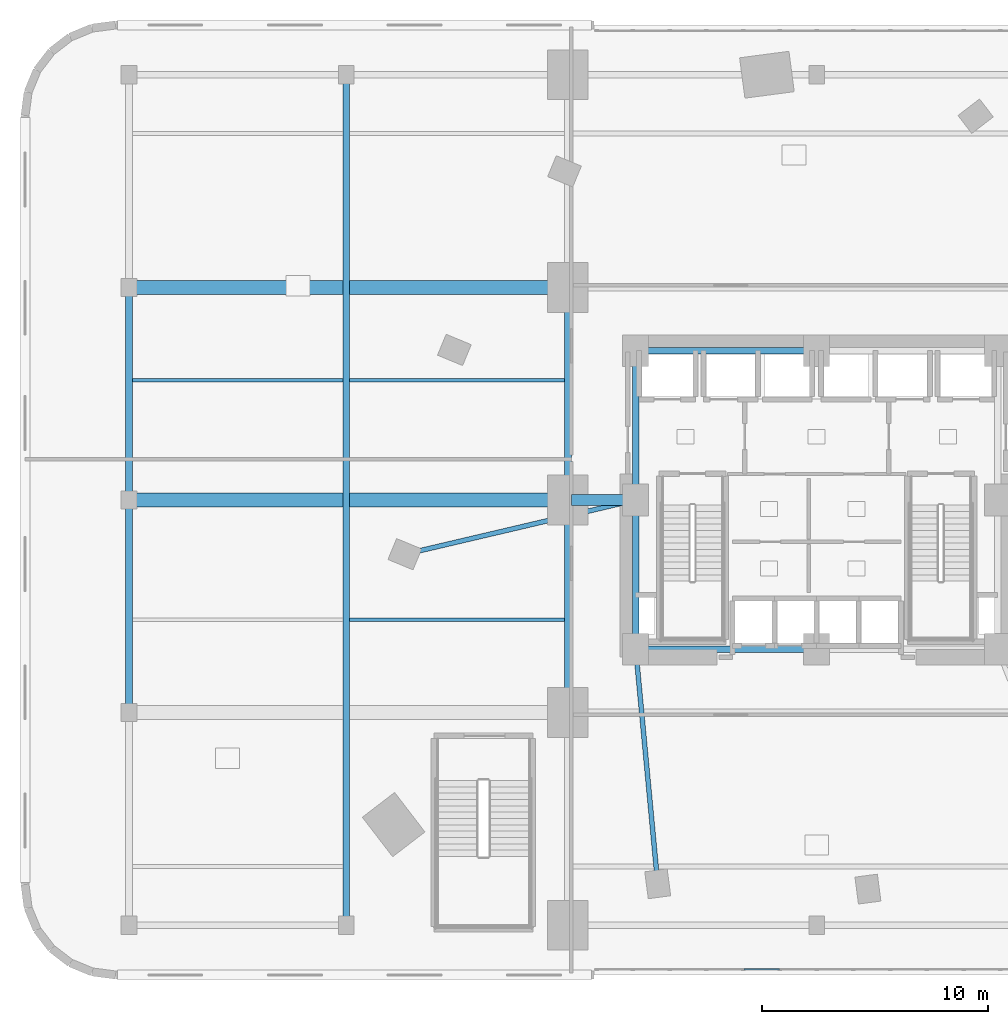
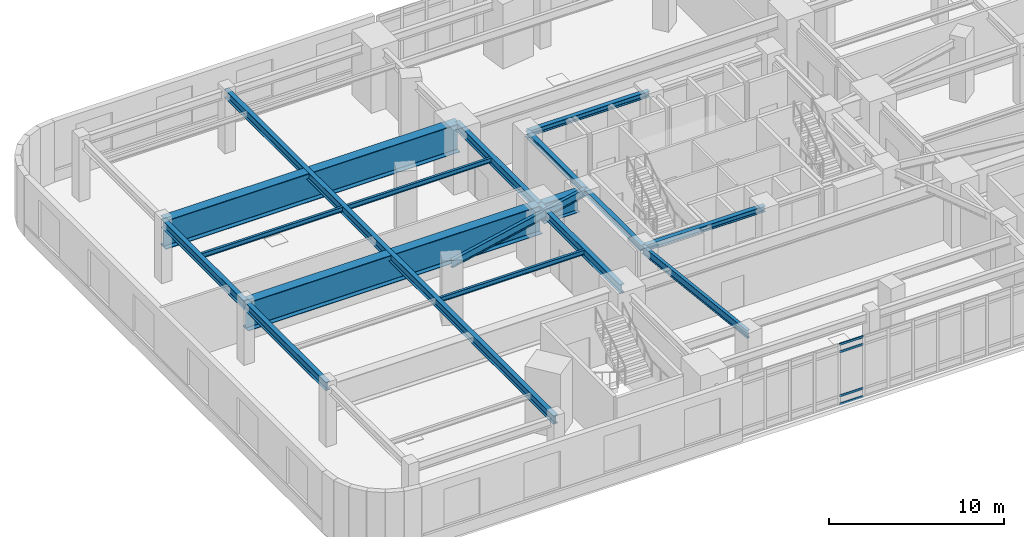
# One storey, part 3 of 19: 17 beams, 4 members, 1 element without a shape of its own.
"""IFC4 building model written with IfcOpenShell, lengths in metres."""

from ifc_helpers import new_model, si_unit, direction, frame, origin, origin_2d, place, context, subcontext, project, spatial, hollow_rectangle, i_section, extrude, material, layer, layer_set, material_profile, profile_set, type_object, element, aggregate, save


model = new_model("IFC4")

# Units and contexts
model_context = context("Model", 3, precision=1e-05, world=origin(), true_north=direction((0.0, 1.0)))
body_context = subcontext(model_context, "Body", "Model", "MODEL_VIEW")
ifc_project = project(units=[si_unit("LENGTHUNIT", "METRE"), si_unit("AREAUNIT", "SQUARE_METRE"), si_unit("VOLUMEUNIT", "CUBIC_METRE"), si_unit("PLANEANGLEUNIT", "RADIAN"), si_unit("MASSUNIT", "GRAM", prefix="KILO")], contexts=[model_context])

# Site, building, storey
site_placement = place(None, origin())
site = spatial("IfcSite", under=ifc_project, at=site_placement, CompositionType="ELEMENT")
building_placement = place(site_placement, origin())
building = spatial("IfcBuilding", under=site, at=building_placement, Name="Ndelora Gate Hotel", CompositionType="ELEMENT")
storey_placement = place(building_placement, frame((0.0, 0.0, 21.5)))
storey = spatial("IfcBuildingStorey", under=building, at=storey_placement, Name="L04", CompositionType="ELEMENT", Elevation=21.5)

# Beams
ifc_material_1 = material(Name="Steel S355", Category="steel")
ifc_material_profile_1 = material_profile(ifc_material_1, i_section(OverallWidth=0.300048828125, OverallDepth=0.39990234375, WebThickness=0.013427734375, FlangeThickness=0.02392578125, FilletRadius=0.027099609375, at=origin_2d()), Name="HEB 400")
ifc_profile_set_1 = profile_set([ifc_material_profile_1], Name="Steel S355")
beam_type_1 = type_object("IfcBeamType", Name="BM-CORE-400", PredefinedType="BEAM", material=ifc_profile_set_1)
beam_1_placement = place(storey_placement, frame((-8.0, 6.60009765625, 4.02001953125), z_axis=(1.0, 0.0, 0.0), x_axis=(0.0, 1.0, 0.0)))
element("IfcBeam", 1, at=beam_1_placement, inside=storey, type_object=beam_type_1, Name="L04 Core Tie Girder CC7-CC6", PredefinedType="BEAM", context=body_context, shape_type="SweptSolid", body=[
    extrude(i_section(OverallWidth=0.300048828125, OverallDepth=0.39990234375, WebThickness=0.013427734375, FlangeThickness=0.02392578125, FilletRadius=0.027099609375, at=origin_2d()), origin(), (0.0, 0.0, 1.0), 8.0),
])
for number, where, z_axis, x_axis, name in (
    (2, (-8.0, -6.60009765625, 4.02001953125), (0.0, 1.0, 0.0), (-1.0, 0.0, 0.0), "L04 Core Tie Girder CC1-CC8"),
    (3, (-8.0, 0.0, 4.02001953125), (0.0, 1.0, 0.0), (-1.0, 0.0, 0.0), "L04 Core Tie Girder CC8-CC7"),
):
    element("IfcBeam", number, at=place(storey_placement, frame(where, z_axis=z_axis, x_axis=x_axis)), inside=storey, type_object=beam_type_1, Name=name, PredefinedType="BEAM", context=body_context, shape_type="SweptSolid", body=[
        extrude(i_section(OverallWidth=0.300048828125, OverallDepth=0.39990234375, WebThickness=0.013427734375, FlangeThickness=0.02392578125, FilletRadius=0.027099609375, at=origin_2d()), origin(), (0.0, 0.0, 1.0), 6.60009765625),
    ])
beam_2_placement = place(storey_placement, frame((-8.0, -6.60009765625, 4.02001953125), z_axis=(1.0, 0.0, 0.0), x_axis=(0.0, 1.0, 0.0)))
element("IfcBeam", 4, at=beam_2_placement, inside=storey, type_object=beam_type_1, Name="L04 Core Tie Girder CC1-CC2", PredefinedType="BEAM", context=body_context, shape_type="SweptSolid", body=[
    extrude(i_section(OverallWidth=0.300048828125, OverallDepth=0.39990234375, WebThickness=0.013427734375, FlangeThickness=0.02392578125, FilletRadius=0.027099609375, at=origin_2d()), origin(), (0.0, 0.0, 1.0), 8.0),
])
ifc_material_profile_2 = material_profile(ifc_material_1, i_section(OverallWidth=0.159912109375, OverallDepth=0.330078125, WebThickness=0.007568359375, FlangeThickness=0.011474609375, FilletRadius=0.01806640625, at=origin_2d()), Name="IPE 330")
ifc_profile_set_2 = profile_set([ifc_material_profile_2], Name="Steel S355")
beam_type_2 = type_object("IfcBeamType", Name="BM-JST-330", PredefinedType="JOIST", material=ifc_profile_set_2)
beam_3_placement = place(storey_placement, frame((-20.64990234375, -5.300048828125, 4.054931640625), z_axis=(1.0, 0.0, 0.0), x_axis=(0.0, 1.0, 0.0)))
element("IfcBeam", 5, at=beam_3_placement, inside=storey, type_object=beam_type_2, Name="L04 Podium Composite Secondary Joist 2", PredefinedType="JOIST", context=body_context, shape_type="SweptSolid", body=[
    extrude(i_section(OverallWidth=0.159912109375, OverallDepth=0.330078125, WebThickness=0.007568359375, FlangeThickness=0.011474609375, FilletRadius=0.01806640625, at=origin_2d()), origin(), (0.0, 0.0, 1.0), 9.5),
])
beam_4_placement = place(storey_placement, frame((-30.25, 5.300048828125, 4.054931640625), z_axis=(1.0, 0.0, 0.0), x_axis=(0.0, 1.0, 0.0)))
element("IfcBeam", 6, at=beam_4_placement, inside=storey, type_object=beam_type_2, Name="L04 Podium Composite Secondary Joist 1", PredefinedType="JOIST", context=body_context, shape_type="SweptSolid", body=[
    extrude(i_section(OverallWidth=0.159912109375, OverallDepth=0.330078125, WebThickness=0.007568359375, FlangeThickness=0.011474609375, FilletRadius=0.01806640625, at=origin_2d()), origin(), (0.0, 0.0, 1.0), 9.300048828125),
])
beam_5_placement = place(storey_placement, frame((-20.64990234375, 5.300048828125, 4.054931640625), z_axis=(1.0, 0.0, 0.0), x_axis=(0.0, 1.0, 0.0)))
element("IfcBeam", 7, at=beam_5_placement, inside=storey, type_object=beam_type_2, Name="L04 Podium Composite Secondary Joist 2", PredefinedType="JOIST", context=body_context, shape_type="SweptSolid", body=[
    extrude(i_section(OverallWidth=0.159912109375, OverallDepth=0.330078125, WebThickness=0.007568359375, FlangeThickness=0.011474609375, FilletRadius=0.01806640625, at=origin_2d()), origin(), (0.0, 0.0, 1.0), 9.5),
])
ifc_material_profile_3 = material_profile(ifc_material_1, i_section(OverallWidth=0.300048828125, OverallDepth=0.60009765625, WebThickness=0.015380859375, FlangeThickness=0.030029296875, FilletRadius=0.027099609375, at=origin_2d()), Name="HEB 600")
ifc_profile_set_3 = profile_set([ifc_material_profile_3], Name="Steel S355")
beam_type_3 = type_object("IfcBeamType", Name="BM-POD-600", PredefinedType="BEAM", material=ifc_profile_set_3)
for number, where, z_axis, x_axis, name in (
    (8, (-30.39990234375, -9.39990234375, 3.919921875), (0.0, 1.0, 0.0), (-1.0, 0.0, 0.0), "L04 Podium Longitudinal Girder X=-30.4"),
    (9, (-30.39990234375, 0.0, 3.919921875), (0.0, 1.0, 0.0), (-1.0, 0.0, 0.0), "L04 Podium Longitudinal Girder X=-30.4"),
):
    element("IfcBeam", number, at=place(storey_placement, frame(where, z_axis=z_axis, x_axis=x_axis)), inside=storey, type_object=beam_type_3, Name=name, PredefinedType="BEAM", context=body_context, shape_type="SweptSolid", body=[
        extrude(i_section(OverallWidth=0.300048828125, OverallDepth=0.60009765625, WebThickness=0.015380859375, FlangeThickness=0.030029296875, FilletRadius=0.027099609375, at=origin_2d()), origin(), (0.0, 0.0, 1.0), 9.39990234375),
    ])
beam_6_placement = place(storey_placement, frame((-20.800048828125, -18.800048828125, 3.919921875), z_axis=(0.0, 1.0, 0.0), x_axis=(-1.0, 0.0, 0.0)))
element("IfcBeam", 10, at=beam_6_placement, inside=storey, type_object=beam_type_3, Name="L04 Podium Longitudinal Girder X=-20.8", PredefinedType="BEAM", context=body_context, shape_type="SweptSolid", body=[
    extrude(i_section(OverallWidth=0.300048828125, OverallDepth=0.60009765625, WebThickness=0.015380859375, FlangeThickness=0.030029296875, FilletRadius=0.027099609375, at=origin_2d()), origin(), (0.0, 0.0, 1.0), 37.60009765625),
])
for number, where, z_axis, x_axis, name in (
    (11, (-11.0, -9.39990234375, 3.919921875), (0.0, 1.0, 0.0), (-1.0, 0.0, 0.0), "L04 Podium Longitudinal Girder X=-11.0"),
    (12, (-11.0, 0.0, 3.919921875), (0.0, 1.0, 0.0), (-1.0, 0.0, 0.0), "L04 Podium Longitudinal Girder X=-11.0"),
):
    element("IfcBeam", number, at=place(storey_placement, frame(where, z_axis=z_axis, x_axis=x_axis)), inside=storey, type_object=beam_type_3, Name=name, PredefinedType="BEAM", context=body_context, shape_type="SweptSolid", body=[
        extrude(i_section(OverallWidth=0.300048828125, OverallDepth=0.60009765625, WebThickness=0.015380859375, FlangeThickness=0.030029296875, FilletRadius=0.027099609375, at=origin_2d()), origin(), (0.0, 0.0, 1.0), 9.39990234375),
    ])
ifc_material_profile_4 = material_profile(ifc_material_1, i_section(OverallWidth=0.2099609375, OverallDepth=0.550048828125, WebThickness=0.010986328125, FlangeThickness=0.01708984375, FilletRadius=0.02392578125, at=origin_2d()), Name="IPE 550")
ifc_profile_set_4 = profile_set([ifc_material_profile_4], Name="Steel S355")
beam_type_4 = type_object("IfcBeamType", Name="BM-RAD-550", PredefinedType="BEAM", material=ifc_profile_set_4)
beam_7_placement = place(storey_placement, frame((-8.0, 0.0, 3.945068359375), z_axis=(-0.973517848051, -0.22861102232, 0.0), x_axis=(0.22861102232, -0.973517848051, 0.0)))
element("IfcBeam", 13, at=beam_7_placement, inside=storey, type_object=beam_type_4, Name="L04 Tower Root Radial Tie Beam 4", PredefinedType="BEAM", context=body_context, shape_type="SweptSolid", body=[
    extrude(i_section(OverallWidth=0.2099609375, OverallDepth=0.550048828125, WebThickness=0.010986328125, FlangeThickness=0.01708984375, FilletRadius=0.02392578125, at=origin_2d()), origin(), (0.0, 0.0, 1.0), 10.48486328125),
])
beam_8_placement = place(storey_placement, frame((-8.0, -6.60009765625, 3.945068359375), z_axis=(0.093395913855, -0.995629049031, 0.0), x_axis=(0.995629049031, 0.093395913855, 0.0)))
element("IfcBeam", 14, at=beam_8_placement, inside=storey, type_object=beam_type_4, Name="L04 Tower Root Radial Tie Beam 6", PredefinedType="BEAM", context=body_context, shape_type="SweptSolid", body=[
    extrude(i_section(OverallWidth=0.2099609375, OverallDepth=0.550048828125, WebThickness=0.010986328125, FlangeThickness=0.01708984375, FilletRadius=0.02392578125, at=origin_2d()), origin(), (0.0, 0.0, 1.0), 10.41162109375),
])
ifc_material_2 = material(Name="Steel S460", Category="steel")
ifc_material_profile_5 = material_profile(ifc_material_2, i_section(OverallWidth=0.5, OverallDepth=1.39990234375, WebThickness=0.02392578125, FlangeThickness=0.035888671875, FilletRadius=0.02197265625, at=origin_2d()), Name="PG 1400x500x36")
ifc_profile_set_5 = profile_set([ifc_material_profile_5], Name="Steel S460")
beam_type_5 = type_object("IfcBeamType", Name="BM-TR-1400", PredefinedType="BEAM", material=ifc_profile_set_5)
beam_9_placement = place(storey_placement, frame((-10.85009765625, 0.0, 3.52001953125), z_axis=(1.0, 0.0, 0.0), x_axis=(0.0, 1.0, 0.0)))
element("IfcBeam", 15, at=beam_9_placement, inside=storey, type_object=beam_type_5, Name="L04 structural beam TG-3", PredefinedType="BEAM", context=body_context, shape_type="SweptSolid", body=[
    extrude(i_section(OverallWidth=0.5, OverallDepth=1.39990234375, WebThickness=0.02392578125, FlangeThickness=0.035888671875, FilletRadius=0.02197265625, at=origin_2d()), origin(), (0.0, 0.0, 1.0), 2.35009765625),
])
ifc_material_profile_6 = material_profile(ifc_material_2, i_section(OverallWidth=0.6201171875, OverallDepth=2.0, WebThickness=0.028076171875, FlangeThickness=0.0400390625, FilletRadius=0.02392578125, at=origin_2d()), Name="PG 2000x620x40")
ifc_profile_set_6 = profile_set([ifc_material_profile_6], Name="Steel S460")
beam_type_6 = type_object("IfcBeamType", Name="BM-TR-2000", PredefinedType="BEAM", material=ifc_profile_set_6)
for number, where, z_axis, x_axis, name in (
    (16, (-30.39990234375, 0.0, 3.219970703125), (1.0, 0.0, 0.0), (0.0, 1.0, 0.0), "L04 Podium Transverse Girder Y=+0.0"),
    (17, (-30.39990234375, 9.39990234375, 3.219970703125), (1.0, 0.0, 0.0), (0.0, 1.0, 0.0), "L04 Podium Transverse Girder Y=+9.4"),
):
    element("IfcBeam", number, at=place(storey_placement, frame(where, z_axis=z_axis, x_axis=x_axis)), inside=storey, type_object=beam_type_6, Name=name, PredefinedType="BEAM", context=body_context, shape_type="SweptSolid", body=[
        extrude(i_section(OverallWidth=0.6201171875, OverallDepth=2.0, WebThickness=0.028076171875, FlangeThickness=0.0400390625, FilletRadius=0.02392578125, at=origin_2d()), origin(), (0.0, 0.0, 1.0), 19.39990234375),
    ])

# Curtain wall, members
ifc_material_3 = material(Name="Bronze Anodised Unitised Aluminium and Low-E Glass", Category="aluminium")
ifc_layer = layer(ifc_material_3, 0.219970703125)
ifc_layer_set = layer_set([ifc_layer], Name="Bronze Anodised Unitised Aluminium and Low-E Glass")
curtain_wall_type = type_object("IfcCurtainWallType", Name="CW-SYS-2", PredefinedType="NOTDEFINED", material=ifc_layer_set)
curtain_wall_placement = place(storey_placement, origin())
curtain_wall = element("IfcCurtainWall", 18, at=curtain_wall_placement, inside=storey, type_object=curtain_wall_type, Name="L04 South Podium Foyer Curtain Wall CW2", PredefinedType="NOTDEFINED")
ifc_material_4 = material(Name="Bronze Anodised Aluminium 6063-T6", Category="aluminium")
ifc_material_profile_7 = material_profile(ifc_material_4, hollow_rectangle(XDim=0.06494140625, YDim=0.159912109375, WallThickness=0.00390625, InnerFilletRadius=0.00390625, OuterFilletRadius=0.008056640625, at=origin_2d()), Name="ALU 160x65x4")
ifc_profile_set_7 = profile_set([ifc_material_profile_7], Name="Bronze Anodised Aluminium 6063-T6")
member_type = type_object("IfcMemberType", Name="MB-CW-TRN150", PredefinedType="USERDEFINED", material=ifc_profile_set_7)
member_1_placement = place(storey_placement, frame((-3.220947265625, -20.75, 0.032470703125), z_axis=(1.0, 0.0, 0.0), x_axis=(0.0, 1.0, 0.0)))
member_1 = element("IfcMember", 19, at=member_1_placement, type_object=member_type, Name="CW2 transom 5.1", ObjectType="TRANSOM", PredefinedType="USERDEFINED", context=body_context, shape_type="SweptSolid", body=[
    extrude(hollow_rectangle(XDim=0.06494140625, YDim=0.159912109375, WallThickness=0.00390625, InnerFilletRadius=0.00390625, OuterFilletRadius=0.008056640625, at=origin_2d()), origin(), (0.0, 0.0, 1.0), 1.56689453125),
])
member_2_placement = place(storey_placement, frame((-3.220947265625, -20.75, 0.60009765625), z_axis=(1.0, 0.0, 0.0), x_axis=(0.0, 1.0, 0.0)))
member_2 = element("IfcMember", 20, at=member_2_placement, type_object=member_type, Name="CW2 transom 5.2", ObjectType="TRANSOM", PredefinedType="USERDEFINED", context=body_context, shape_type="SweptSolid", body=[
    extrude(hollow_rectangle(XDim=0.06494140625, YDim=0.159912109375, WallThickness=0.00390625, InnerFilletRadius=0.00390625, OuterFilletRadius=0.008056640625, at=origin_2d()), origin(), (0.0, 0.0, 1.0), 1.56689453125),
])
member_3_placement = place(storey_placement, frame((-3.220947265625, -20.75, 3.669921875), z_axis=(1.0, 0.0, 0.0), x_axis=(0.0, 1.0, 0.0)))
member_3 = element("IfcMember", 21, at=member_3_placement, type_object=member_type, Name="CW2 transom 5.3", ObjectType="TRANSOM", PredefinedType="USERDEFINED", context=body_context, shape_type="SweptSolid", body=[
    extrude(hollow_rectangle(XDim=0.06494140625, YDim=0.159912109375, WallThickness=0.00390625, InnerFilletRadius=0.00390625, OuterFilletRadius=0.008056640625, at=origin_2d()), origin(), (0.0, 0.0, 1.0), 1.56689453125),
])
member_4_placement = place(storey_placement, frame((-3.220947265625, -20.75, 4.1875), z_axis=(1.0, 0.0, 0.0), x_axis=(0.0, 1.0, 0.0)))
member_4 = element("IfcMember", 22, at=member_4_placement, type_object=member_type, Name="CW2 transom 5.4", ObjectType="TRANSOM", PredefinedType="USERDEFINED", context=body_context, shape_type="SweptSolid", body=[
    extrude(hollow_rectangle(XDim=0.06494140625, YDim=0.159912109375, WallThickness=0.00390625, InnerFilletRadius=0.00390625, OuterFilletRadius=0.008056640625, at=origin_2d()), origin(), (0.0, 0.0, 1.0), 1.56689453125),
])
aggregate(curtain_wall, [member_1, member_2, member_3, member_4])

save(model, "model.ifc")
